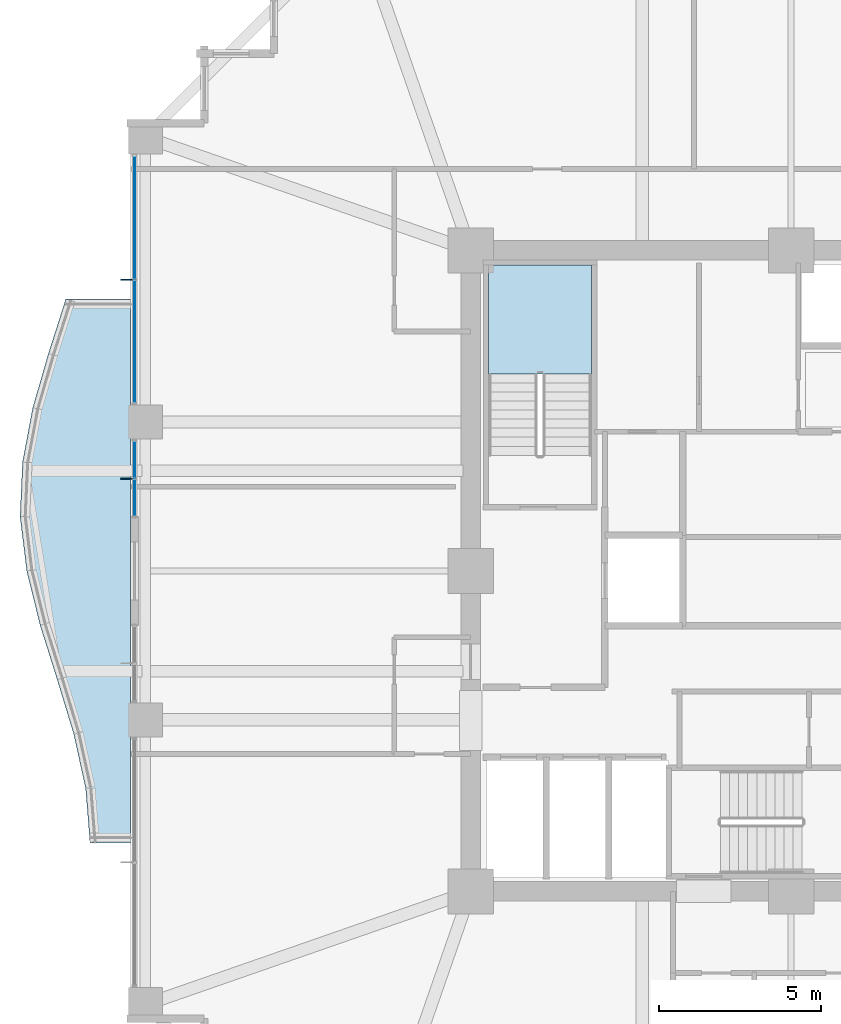
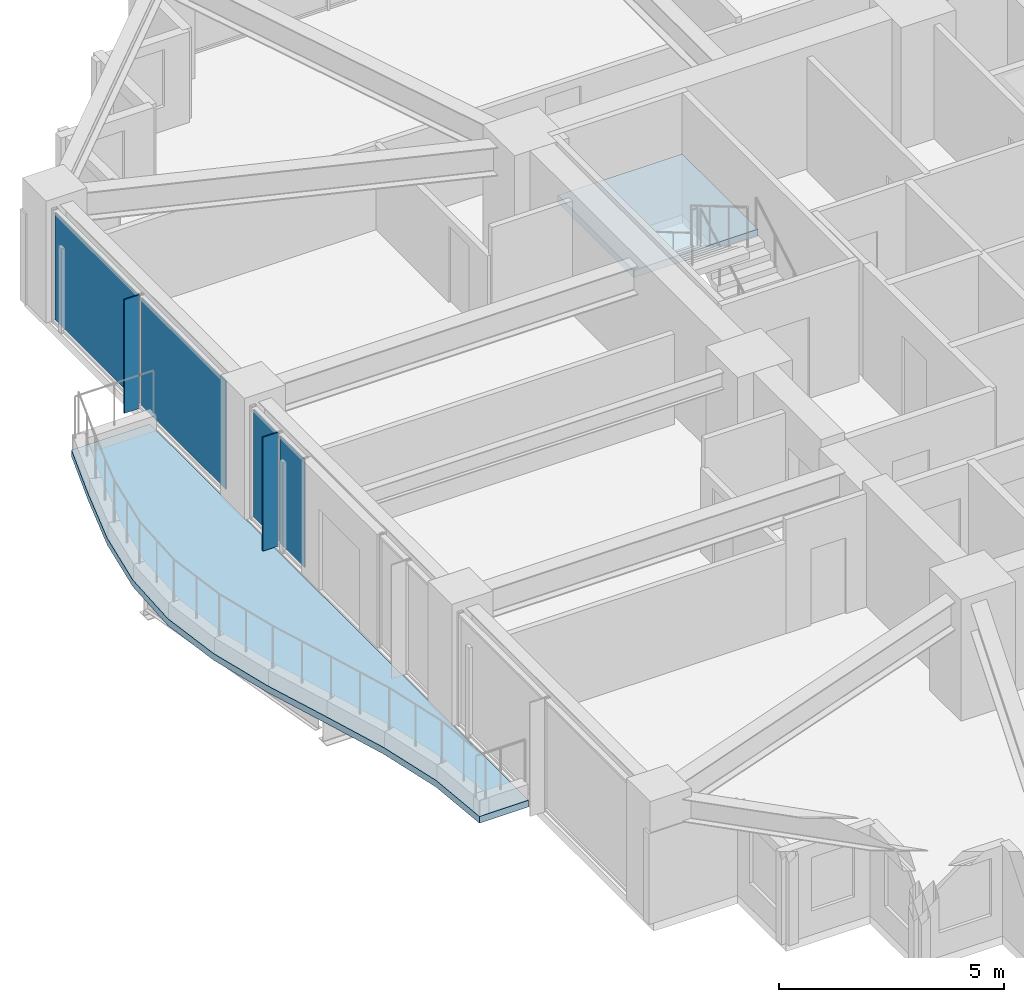
# One storey, part 26 of 36: 6 plates, 2 slabs, 3 elements without a shape of their own.
"""IFC4 building model written with IfcOpenShell, lengths in metres."""

from ifc_helpers import new_model, si_unit, direction, frame, origin, origin_2d, place, context, subcontext, project, spatial, polyline, rectangle, outline, extrude, material, layer, layer_set, type_object, element, aggregate, save


model = new_model("IFC4")

# Units and contexts
model_context = context("Model", 3, precision=1e-05, world=origin(), true_north=direction((0.0, 1.0)))
body_context = subcontext(model_context, "Body", "Model", "MODEL_VIEW")
ifc_project = project(units=[si_unit("LENGTHUNIT", "METRE"), si_unit("AREAUNIT", "SQUARE_METRE"), si_unit("VOLUMEUNIT", "CUBIC_METRE"), si_unit("PLANEANGLEUNIT", "RADIAN"), si_unit("MASSUNIT", "GRAM", prefix="KILO")], contexts=[model_context])

# Site, building, storey
site_placement = place(None, origin())
site = spatial("IfcSite", under=ifc_project, at=site_placement, CompositionType="ELEMENT")
building_placement = place(site_placement, origin())
building = spatial("IfcBuilding", under=site, at=building_placement, Name="Kolvaren Belvedere", CompositionType="ELEMENT")
storey_placement = place(building_placement, frame((0.0, 0.0, 92.0)))
storey = spatial("IfcBuildingStorey", under=building, at=storey_placement, Name="L26", CompositionType="ELEMENT", Elevation=92.0)

# Curtain wall, plates
ifc_material_1 = material(Name="Anodised pale-metal aluminium AA 6063-T6", Category="aluminium")
curtain_wall_type = type_object("IfcCurtainWallType", Name="CW-Z2-MID", PredefinedType="NOTDEFINED", material=ifc_material_1)
curtain_wall_1_placement = place(storey_placement, origin())
curtain_wall_1 = element("IfcCurtainWall", 1, at=curtain_wall_1_placement, inside=storey, type_object=curtain_wall_type, Name="L26 Unitised Curtain Wall FCW-L26-W2-B1", PredefinedType="NOTDEFINED")
ifc_material_2 = material(Name="Low-iron triple insulated glass", Category="glass")
ifc_layer_1 = layer(ifc_material_2, 0.028076171875)
ifc_layer_set_1 = layer_set([ifc_layer_1], Name="Low-iron triple insulated glass")
plate_type_1 = type_object("IfcPlateType", Name="CW-PNL-VIS28", PredefinedType="CURTAIN_PANEL", material=ifc_layer_set_1)
plate_1_placement = place(storey_placement, frame((-20.280029296875, 2.265625, 0.080078125), z_axis=(0.0, 0.0, 1.0), x_axis=(0.0, 1.0, 0.0)))
plate_1 = element("IfcPlate", 2, at=plate_1_placement, type_object=plate_type_1, Name="FCW-L26-W2-B1 Vision Glazing Panel 1", PredefinedType="CURTAIN_PANEL", context=body_context, shape_type="SweptSolid", body=[
    extrude(rectangle(XDim=1.09130859375, YDim=0.028076171875, at=origin_2d()), origin(), (0.0, 0.0, 1.0), 2.919921875),
])
plate_2_placement = place(storey_placement, frame((-20.280029296875, 3.43701171875, 0.080078125), z_axis=(0.0, 0.0, 1.0), x_axis=(0.0, 1.0, 0.0)))
plate_2 = element("IfcPlate", 3, at=plate_2_placement, type_object=plate_type_1, Name="FCW-L26-W2-B1 Vision Glazing Panel 2", PredefinedType="CURTAIN_PANEL", context=body_context, shape_type="SweptSolid", body=[
    extrude(rectangle(XDim=1.09130859375, YDim=0.028076171875, at=origin_2d()), origin(), (0.0, 0.0, 1.0), 2.919921875),
])
aggregate(curtain_wall_1, [plate_1, plate_2])

curtain_wall_2_placement = place(storey_placement, origin())
curtain_wall_2 = element("IfcCurtainWall", 4, at=curtain_wall_2_placement, inside=storey, type_object=curtain_wall_type, Name="L26 Unitised Curtain Wall FCW-L26-W2-B2", PredefinedType="NOTDEFINED")
plate_3_placement = place(storey_placement, frame((-20.280029296875, 7.0888671875, 0.080078125), z_axis=(0.0, 0.0, 1.0), x_axis=(0.0, 1.0, 0.0)))
plate_3 = element("IfcPlate", 5, at=plate_3_placement, type_object=plate_type_1, Name="FCW-L26-W2-B2 Vision Glazing Panel 1", PredefinedType="CURTAIN_PANEL", context=body_context, shape_type="SweptSolid", body=[
    extrude(rectangle(XDim=3.742431640625, YDim=0.028076171875, at=origin_2d()), origin(), (0.0, 0.0, 1.0), 2.919921875),
])
plate_4_placement = place(storey_placement, frame((-20.280029296875, 10.9111328125, 0.080078125), z_axis=(0.0, 0.0, 1.0), x_axis=(0.0, 1.0, 0.0)))
plate_4 = element("IfcPlate", 6, at=plate_4_placement, type_object=plate_type_1, Name="FCW-L26-W2-B2 Vision Glazing Panel 2", PredefinedType="CURTAIN_PANEL", context=body_context, shape_type="SweptSolid", body=[
    extrude(rectangle(XDim=3.742431640625, YDim=0.028076171875, at=origin_2d()), origin(), (0.0, 0.0, 1.0), 2.919921875),
])
aggregate(curtain_wall_2, [plate_3, plate_4])

# Plates
ifc_material_3 = material(Name="Anodised pale-metal aluminium AA 6063-T6", Category="aluminium")
ifc_layer_2 = layer(ifc_material_3, 0.033935546875)
ifc_layer_set_2 = layer_set([ifc_layer_2], Name="Anodised pale-metal aluminium AA 6063-T6")
plate_type_2 = type_object("IfcPlateType", Name="FIN-VERT-380", PredefinedType="USERDEFINED", material=ifc_layer_set_2)
for number, where, z_axis, x_axis, name in (
    (7, (-20.52490234375, 2.851318359375, 0.0), (0.0, 0.0, 1.0), (1.0, 0.0, 0.0), "L26 Pale-Metal Vertical Shading Fin FCW-L26-W2-B1-1"),
    (8, (-20.52490234375, 9.0, 0.0), (0.0, 0.0, 1.0), (1.0, 0.0, 0.0), "L26 Pale-Metal Vertical Shading Fin FCW-L26-W2-B2-1"),
):
    element("IfcPlate", number, at=place(storey_placement, frame(where, z_axis=z_axis, x_axis=x_axis)), inside=storey, type_object=plate_type_2, Name=name, ObjectType="VERTICAL FIN", PredefinedType="USERDEFINED", context=body_context, shape_type="SweptSolid", body=[
        extrude(rectangle(XDim=0.3798828125, YDim=0.033935546875, at=origin_2d()), origin(), (0.0, 0.0, 1.0), 3.080078125),
    ])

# Slab
ifc_material_4 = material(Name="Concrete C50/60", Category="concrete")
ifc_layer_3 = layer(ifc_material_4, 0.179931640625)
ifc_layer_set_3 = layer_set([ifc_layer_3], Name="Concrete C50/60")
slab_type_1 = type_object("IfcSlabType", Name="SL-BAL-180", PredefinedType="FLOOR", material=ifc_layer_set_3)
slab_1_placement = place(storey_placement, frame((0.0, 0.0, -0.219970703125)))
element("IfcSlab", 9, at=slab_1_placement, inside=storey, type_object=slab_type_1, Name="L26 Planted Balcony BAL-W", PredefinedType="FLOOR", context=body_context, shape_type="SweptSolid", body=[
    extrude(outline(polyline([(-22.40625, 8.39990234375), (-22.9423828125, 6.719970703125), (-23.428466796875, 5.0400390625), (-23.744140625, 3.360107421875), (-23.820068359375, 1.679931640625), (-23.61376953125, 0.0), (-23.19970703125, -1.679931640625), (-22.672119140625, -3.360107421875), (-22.161376953125, -5.0400390625), (-21.793701171875, -6.719970703125), (-21.659912109375, -8.39990234375), (-20.39990234375, -8.39990234375), (-20.39990234375, -6.719970703125), (-20.39990234375, -5.0400390625), (-20.39990234375, -3.360107421875), (-20.39990234375, -1.679931640625), (-20.39990234375, 0.0), (-20.39990234375, 1.679931640625), (-20.39990234375, 3.360107421875), (-20.39990234375, 5.0400390625), (-20.39990234375, 6.719970703125), (-20.39990234375, 8.39990234375), (-22.40625, 8.39990234375)])), origin(), (0.0, 0.0, 1.0), 0.179931640625),
])

# Stair, slab
ifc_material_5 = material(Name="Concrete C50/60", Category="concrete")
stair_type = type_object("IfcStairType", Name="ST-CORE-1520", PredefinedType="HALF_TURN_STAIR", material=ifc_material_5)
stair_placement = place(storey_placement, origin())
stair = element("IfcStair", 10, at=stair_placement, inside=storey, type_object=stair_type, Name="L26 Protected Exit Stair ST-1", PredefinedType="HALF_TURN_STAIR")
ifc_material_6 = material(Name="Concrete C50/60", Category="concrete")
ifc_layer_4 = layer(ifc_material_6, 0.260009765625)
ifc_layer_set_4 = layer_set([ifc_layer_4], Name="Concrete C50/60")
slab_type_2 = type_object("IfcSlabType", Name="SL-LAND-260", PredefinedType="LANDING", material=ifc_layer_set_4)
slab_2_placement = place(storey_placement, frame((0.0, 0.0, 1.449951171875)))
slab_2 = element("IfcSlab", 11, at=slab_2_placement, type_object=slab_type_2, Name="ST-1 landing 1", PredefinedType="LANDING", context=body_context, shape_type="SweptSolid", body=[
    extrude(outline(polyline([(-6.159912109375, 6.090087890625), (-6.159912109375, 9.449951171875), (-9.35009765625, 9.449951171875), (-9.35009765625, 6.090087890625), (-6.159912109375, 6.090087890625)])), origin(), (0.0, 0.0, 1.0), 0.199951171875),
])
aggregate(stair, [slab_2])

save(model, "model.ifc")
